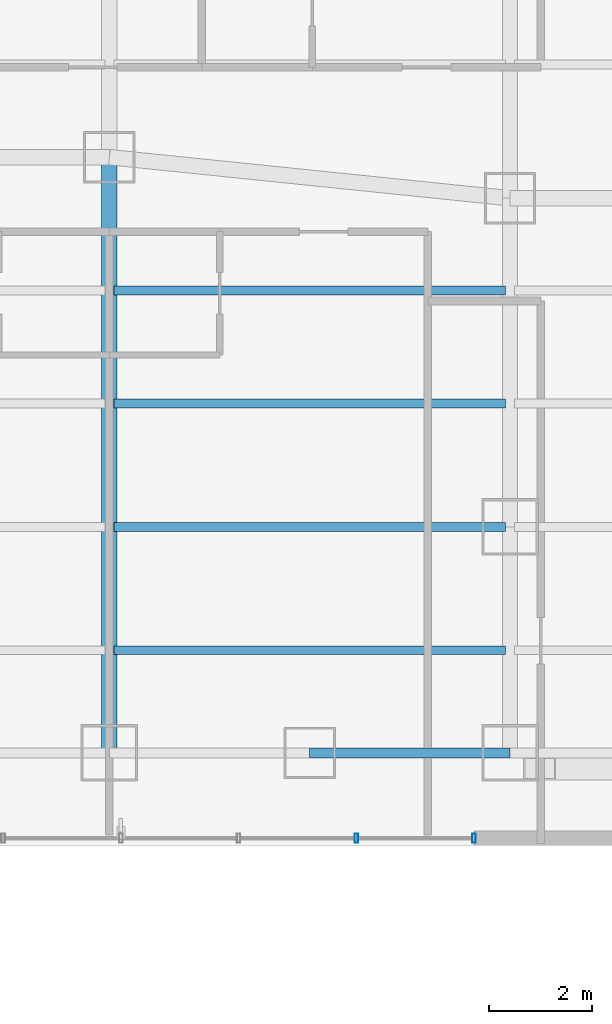
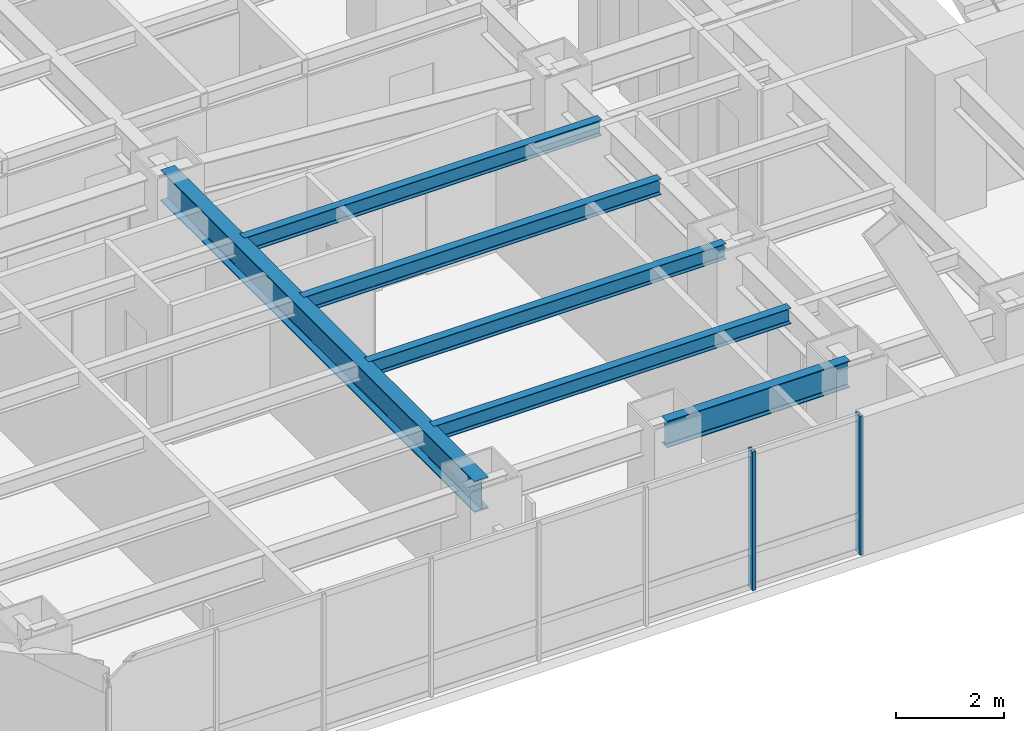
# One storey, part 6 of 32: 6 beams, 2 members, 1 element without a shape of its own.
"""IFC4 building model written with IfcOpenShell, lengths in metres."""

import ifcopenshell
import ifcopenshell.guid

model = None  # the IFC model being written
_history = None  # IfcOwnerHistory: only IFC2X3 demands one
_inside = {}  # id of a spatial element -> (the spatial element, [elements in it])
_under = {}  # id of a project, library or spatial element -> (it, [spatial elements below it])
_declared = {}  # id of a project -> (the project, [libraries it declares])
_typed = {}  # id of a type object -> (the type object, [elements of that type])
_made_of = {}  # id of a material, layer set ... -> (it, [elements and type objects made of it])


def new_model(schema):
    """Start an empty IFC model of exactly this schema.

    Asked for "IFC4X3", IfcOpenShell would pick the latest addendum, in which some entities
    have other attributes; the version numbers below select the first issue.
    IFC2X3 requires an IfcOwnerHistory on every rooted entity: one is made here for all.
    """
    global model, _history
    if schema == "IFC4X3":
        model = ifcopenshell.file(schema_version=(4, 3, 0, 0))
    else:
        model = ifcopenshell.file(schema=schema)
    _inside.clear()
    _under.clear()
    _declared.clear()
    _typed.clear()
    _made_of.clear()
    _history = None
    if model.schema == "IFC2X3":
        org = make("IfcOrganization", Name="unknown")
        user = make(
            "IfcPersonAndOrganization",
            ThePerson=make("IfcPerson", FamilyName="unknown"),
            TheOrganization=org,
        )
        app = make(
            "IfcApplication",
            ApplicationDeveloper=org,
            Version="unknown",
            ApplicationFullName="unknown",
            ApplicationIdentifier="unknown",
        )
        _history = make(
            "IfcOwnerHistory",
            OwningUser=user,
            OwningApplication=app,
            ChangeAction="ADDED",
            CreationDate=0,
        )
    return model


def make(cls, **values):
    """One entity of the class cls with the attributes given. An attribute that is None is left unset."""
    return model.create_entity(
        cls, **{name: value for name, value in values.items() if value is not None}
    )


def rooted(cls, **values):
    """An entity with a GlobalId (a new one), such as an element, a storey or a relation."""
    return make(cls, GlobalId=ifcopenshell.guid.new(), OwnerHistory=_history, **values)


def si_unit(unit_type, name, prefix=None):
    """IfcSIUnit, for example si_unit("LENGTHUNIT", "METRE", prefix="MILLI")."""
    return make("IfcSIUnit", UnitType=unit_type, Prefix=prefix, Name=name)


def assignment(units):
    """IfcUnitAssignment: the units of a project."""
    return None if units is None else make("IfcUnitAssignment", Units=units)


def point(xyz):
    """IfcCartesianPoint."""
    return None if xyz is None else make("IfcCartesianPoint", Coordinates=xyz)


def direction(xyz):
    """IfcDirection."""
    return None if xyz is None else make("IfcDirection", DirectionRatios=xyz)


def frame(location, z_axis=None, x_axis=None):
    """IfcAxis2Placement3D, a coordinate frame: its origin and axes. An axis left out is left unset."""
    return make(
        "IfcAxis2Placement3D",
        Location=point(location),
        Axis=direction(z_axis),
        RefDirection=direction(x_axis),
    )


def frame_2d(location, x_axis=None):
    """IfcAxis2Placement2D, a coordinate frame in the plane: its origin and x axis."""
    return make(
        "IfcAxis2Placement2D", Location=point(location), RefDirection=direction(x_axis)
    )


def origin():
    """The frame at (0, 0, 0) with its axes left unset."""
    return frame((0.0, 0.0, 0.0))


def origin_2d():
    """The frame at (0, 0) in the plane with its x axis left unset."""
    return frame_2d((0.0, 0.0))


def place(relative_to, where):
    """IfcLocalPlacement: puts the frame where relative to a parent placement (None: the world)."""
    return make(
        "IfcLocalPlacement", PlacementRelTo=relative_to, RelativePlacement=where
    )


def context(
    kind, dimensions, precision=None, world=None, true_north=None, identifier=None
):
    """IfcGeometricRepresentationContext, for example the 3D "Model" context."""
    return make(
        "IfcGeometricRepresentationContext",
        ContextIdentifier=identifier,
        ContextType=kind,
        CoordinateSpaceDimension=dimensions,
        Precision=precision,
        WorldCoordinateSystem=world,
        TrueNorth=true_north,
    )


def subcontext(parent, identifier, kind, view, scale=None):
    """IfcGeometricRepresentationSubContext, for example "Body" below "Model"."""
    return make(
        "IfcGeometricRepresentationSubContext",
        ContextIdentifier=identifier,
        ContextType=kind,
        ParentContext=parent,
        TargetScale=scale,
        TargetView=view,
    )


def project(units=None, contexts=None):
    """IfcProject with its units and contexts."""
    return rooted(
        "IfcProject",
        Name="project",
        RepresentationContexts=contexts,
        UnitsInContext=assignment(units),
    )


def spatial(cls, under=None, at=None, **own):
    """A site, building, storey or space (cls), placed at a placement, below another one or the project."""
    s = rooted(cls, ObjectPlacement=at, **own)
    if under is not None:
        _under.setdefault(under.id(), (under, []))[1].append(s)
    return s


def profile(cls, at=None, kind="AREA", **sizes):
    """A parametric profile (cls). Its sizes go by their IFC names, for example OverallWidth=200.0."""
    return make(cls, ProfileType=kind, Position=at, **sizes)


def hollow_rectangle(**sizes):
    """IfcRectangleHollowProfileDef."""
    return profile("IfcRectangleHollowProfileDef", **sizes)


def i_section(**sizes):
    """IfcIShapeProfileDef."""
    return profile("IfcIShapeProfileDef", **sizes)


def extrude(swept, where, along, depth):
    """IfcExtrudedAreaSolid: the profile swept, set in the frame where, extruded along a direction by depth."""
    return make(
        "IfcExtrudedAreaSolid",
        SweptArea=swept,
        Position=where,
        ExtrudedDirection=direction(along),
        Depth=depth,
    )


def shape(context_of_items, identifier, shape_type, items):
    """IfcShapeRepresentation: the items that make up one representation, for example the "Body"."""
    return make(
        "IfcShapeRepresentation",
        ContextOfItems=context_of_items,
        RepresentationIdentifier=identifier,
        RepresentationType=shape_type,
        Items=items,
    )


def material(Name=None, Category=None):
    """IfcMaterial."""
    return make("IfcMaterial", Name=Name, Category=Category)


def layer(
    of_material, thickness, ventilated=None, Name=None, Category=None, Priority=None
):
    """IfcMaterialLayer: one layer of a wall or slab, of a material (None: an air gap)."""
    return make(
        "IfcMaterialLayer",
        Material=of_material,
        LayerThickness=thickness,
        IsVentilated=ventilated,
        Name=Name,
        Category=Category,
        Priority=Priority,
    )


def layer_set(layers, Name=None):
    """IfcMaterialLayerSet."""
    return make("IfcMaterialLayerSet", MaterialLayers=layers, LayerSetName=Name)


def material_profile(
    of_material, cross_section, Name=None, Category=None, Priority=None
):
    """IfcMaterialProfile: a cross section and its material."""
    return make(
        "IfcMaterialProfile",
        Name=Name,
        Material=of_material,
        Profile=cross_section,
        Priority=Priority,
        Category=Category,
    )


def profile_set(profiles, Name=None, composite=None):
    """IfcMaterialProfileSet."""
    return make(
        "IfcMaterialProfileSet",
        Name=Name,
        MaterialProfiles=profiles,
        CompositeProfile=composite,
    )


def made_of(thing, what):
    """Note that an element or type object is made of a material, layer set ...; save() writes the relation."""
    if what is not None:
        _made_of.setdefault(what.id(), (what, []))[1].append(thing)
    return thing


def type_object(cls, material=None, **own):
    """A type object (cls), such as IfcWallType, which elements share."""
    return made_of(rooted(cls, **own), material)


def element(
    cls,
    number,
    at=None,
    inside=None,
    cuts=None,
    type_object=None,
    material=None,
    context=None,
    identifier="Body",
    shape_type=None,
    held_by="IfcProductDefinitionShape",
    body=None,
    shapes=None,
    **own,
):
    """One element of the class cls, such as IfcWall. Its Tag is "e" and its number.

    at: its placement. inside: the storey or other place that contains it. cuts: it is an
    opening in that element (IfcRelVoidsElement). A single representation is given by context,
    identifier, shape_type and body (its items); several are given by shapes. held_by: the class
    of the entity that holds the representations. save() writes the other relations.
    """
    e = rooted(cls, Tag="e%d" % number, ObjectPlacement=at, **own)
    if body is not None:
        shapes = [shape(context, identifier, shape_type, body)]
    if shapes is not None:
        e.Representation = make(held_by, Representations=shapes)
    if inside is not None:
        _inside.setdefault(inside.id(), (inside, []))[1].append(e)
    if cuts is not None:
        rooted(
            "IfcRelVoidsElement", RelatingBuildingElement=cuts, RelatedOpeningElement=e
        )
    if type_object is not None:
        _typed.setdefault(type_object.id(), (type_object, []))[1].append(e)
    return made_of(e, material)


def aggregate(whole, parts):
    """IfcRelAggregates: a whole, such as a stair, and the parts it consists of."""
    return rooted("IfcRelAggregates", RelatingObject=whole, RelatedObjects=parts)


def save(model, path):
    """Write the relations noted so far, then the file.

    IfcRelAggregates (storeys below a building ...), IfcRelContainedInSpatialStructure (elements
    in a storey), IfcRelDefinesByType, IfcRelAssociatesMaterial and IfcRelDeclares: one each for
    every whole, place, type object, material and project.
    """
    for whole, parts in _under.values():
        aggregate(whole, parts)
    for where, things in _inside.values():
        rooted(
            "IfcRelContainedInSpatialStructure",
            RelatedElements=things,
            RelatingStructure=where,
        )
    for kind, things in _typed.values():
        rooted("IfcRelDefinesByType", RelatedObjects=things, RelatingType=kind)
    for what, things in _made_of.values():
        rooted("IfcRelAssociatesMaterial", RelatedObjects=things, RelatingMaterial=what)
    for by, libraries in _declared.values():
        rooted("IfcRelDeclares", RelatingContext=by, RelatedDefinitions=libraries)
    model.write(path)


model = new_model("IFC4")

# Units and contexts
model_context = context("Model", 3, precision=1e-05, world=origin(), true_north=direction((0.0, 1.0)))
body_context = subcontext(model_context, "Body", "Model", "MODEL_VIEW")
ifc_project = project(units=[si_unit("LENGTHUNIT", "METRE"), si_unit("AREAUNIT", "SQUARE_METRE"), si_unit("VOLUMEUNIT", "CUBIC_METRE"), si_unit("PLANEANGLEUNIT", "RADIAN"), si_unit("MASSUNIT", "GRAM", prefix="KILO")], contexts=[model_context])

# Site, building, storey
site_placement = place(None, origin())
site = spatial("IfcSite", under=ifc_project, at=site_placement, CompositionType="ELEMENT")
building_placement = place(site_placement, origin())
building = spatial("IfcBuilding", under=site, at=building_placement, Name="Hatsunagi Terrace Concourse", CompositionType="ELEMENT")
storey_placement = place(building_placement, frame((0.0, 0.0, 36.60009765625)))
storey = spatial("IfcBuildingStorey", under=building, at=storey_placement, Name="L08", CompositionType="ELEMENT", Elevation=36.60009765625)

# Curtain wall, members
ifc_material_1 = material(Name="Anodised Aluminium Alloy 6063-T5", Category="aluminium")
ifc_layer = layer(ifc_material_1, 0.199951171875)
ifc_layer_set = layer_set([ifc_layer], Name="HotelFacade_CW02")
curtain_wall_type = type_object("IfcCurtainWallType", Name="HotelFacade_CW02", PredefinedType="NOTDEFINED", material=ifc_layer_set)
curtain_wall_placement = place(storey_placement, origin())
curtain_wall = element("IfcCurtainWall", 1, at=curtain_wall_placement, inside=storey, type_object=curtain_wall_type, Name="Unitised Curtain Wall CW-02 CW-L08-07", PredefinedType="NOTDEFINED")
ifc_material_2 = material(Name="Anodised Aluminium Alloy 6063-T5", Category="aluminium")
ifc_material_profile_1 = material_profile(ifc_material_2, hollow_rectangle(XDim=0.070068359375, YDim=0.179931640625, WallThickness=0.00390625, at=origin_2d()), Name="ALU-MUL-180x70x4")
ifc_profile_set_1 = profile_set([ifc_material_profile_1], Name="Anodised Aluminium Alloy 6063-T5")
member_type = type_object("IfcMemberType", Name="CurtainWallMullion_180x70", PredefinedType="MULLION", material=ifc_profile_set_1)
member_1_placement = place(storey_placement, frame((18.5, 23.5400390625, 0.0), z_axis=(0.0, 0.0, 1.0), x_axis=(-1.0, 0.0, 0.0)))
member_1 = element("IfcMember", 2, at=member_1_placement, type_object=member_type, Name="Curtain Wall Mullion MUL-02", PredefinedType="MULLION", context=body_context, shape_type="SweptSolid", body=[
    extrude(hollow_rectangle(XDim=0.070068359375, YDim=0.179931640625, WallThickness=0.00390625, at=origin_2d()), origin(), (0.0, 0.0, 1.0), 3.1298828125),
])
member_2_placement = place(storey_placement, frame((16.2080078125, 23.5400390625, 0.0), z_axis=(0.0, 0.0, 1.0), x_axis=(-1.0, 0.0, 0.0)))
member_2 = element("IfcMember", 3, at=member_2_placement, type_object=member_type, Name="Curtain Wall Mullion MUL-02", PredefinedType="MULLION", context=body_context, shape_type="SweptSolid", body=[
    extrude(hollow_rectangle(XDim=0.070068359375, YDim=0.179931640625, WallThickness=0.00390625, at=origin_2d()), origin(), (0.0, 0.0, 1.0), 3.1298828125),
])
aggregate(curtain_wall, [member_1, member_2])

# Beams
ifc_material_3 = material(Name="Steel SN490B", Category="steel")
ifc_material_profile_2 = material_profile(ifc_material_3, i_section(OverallWidth=0.300048828125, OverallDepth=0.699951171875, WebThickness=0.012939453125, FlangeThickness=0.02392578125, FilletRadius=0.02197265625, at=origin_2d()), Name="H-700x300x13x24")
ifc_profile_set_2 = profile_set([ifc_material_profile_2], Name="Steel SN490B")
beam_type_1 = type_object("IfcBeamType", Name="HotelFloorGirder_H_700x300", PredefinedType="BEAM", material=ifc_profile_set_2)
beam_1_placement = place(storey_placement, frame((11.39990234375, 25.199951171875, 2.77978515625), z_axis=(0.0, 1.0, 0.0), x_axis=(-1.0, 0.0, 0.0)))
element("IfcBeam", 4, at=beam_1_placement, inside=storey, type_object=beam_type_1, Name="Beam G-04 BM-L08-NS-11-25", PredefinedType="BEAM", context=body_context, shape_type="SweptSolid", body=[
    extrude(i_section(OverallWidth=0.300048828125, OverallDepth=0.699951171875, WebThickness=0.012939453125, FlangeThickness=0.02392578125, FilletRadius=0.02197265625, at=origin_2d()), origin(), (0.0, 0.0, 1.0), 11.60009765625),
])
ifc_material_4 = material(Name="Steel SN490B", Category="steel")
ifc_material_profile_3 = material_profile(ifc_material_4, i_section(OverallWidth=0.175048828125, OverallDepth=0.35009765625, WebThickness=0.007080078125, FlangeThickness=0.010986328125, FilletRadius=0.012939453125, at=origin_2d()), Name="H-350x175x7x11")
ifc_profile_set_3 = profile_set([ifc_material_profile_3], Name="Steel SN490B")
beam_type_2 = type_object("IfcBeamType", Name="HotelJoist_H_350x175", PredefinedType="JOIST", material=ifc_profile_set_3)
for number, where, z_axis, x_axis, name in (
    (5, (11.485107421875, 27.199951171875, 2.954833984375), (1.0, 0.0, 0.0), (0.0, 1.0, 0.0), "Beam J-02 J-L08-W-11-272"),
    (6, (11.485107421875, 29.60009765625, 2.954833984375), (1.0, 0.0, 0.0), (0.0, 1.0, 0.0), "Beam J-02 J-L08-W-11-296"),
    (7, (11.485107421875, 32.0, 2.954833984375), (1.0, 0.0, 0.0), (0.0, 1.0, 0.0), "Beam J-02 J-L08-W-11-320"),
    (8, (11.485107421875, 34.199951171875, 2.954833984375), (1.0, 0.0, 0.0), (0.0, 1.0, 0.0), "Beam J-02 J-L08-W-11-342"),
):
    element("IfcBeam", number, at=place(storey_placement, frame(where, z_axis=z_axis, x_axis=x_axis)), inside=storey, type_object=beam_type_2, Name=name, PredefinedType="JOIST", context=body_context, shape_type="SweptSolid", body=[
        extrude(i_section(OverallWidth=0.175048828125, OverallDepth=0.35009765625, WebThickness=0.007080078125, FlangeThickness=0.010986328125, FilletRadius=0.012939453125, at=origin_2d()), origin(), (0.0, 0.0, 1.0), 7.6298828125),
    ])
ifc_material_5 = material(Name="Steel SN490B", Category="steel")
ifc_material_profile_4 = material_profile(ifc_material_5, i_section(OverallWidth=0.199951171875, OverallDepth=0.60009765625, WebThickness=0.010986328125, FlangeThickness=0.01708984375, FilletRadius=0.01806640625, at=origin_2d()), Name="H-600x200x11x17")
ifc_profile_set_4 = profile_set([ifc_material_profile_4], Name="Steel SN490B")
beam_type_3 = type_object("IfcBeamType", Name="PerimeterSpandrel_H_600x200", PredefinedType="SPANDREL", material=ifc_profile_set_4)
beam_2_placement = place(storey_placement, frame((15.300048828125, 25.199951171875, 2.829833984375), z_axis=(1.0, 0.0, 0.0), x_axis=(0.0, 1.0, 0.0)))
element("IfcBeam", 9, at=beam_2_placement, inside=storey, type_object=beam_type_3, Name="Beam SP-01 BM-L08-WS-15", PredefinedType="SPANDREL", context=body_context, shape_type="SweptSolid", body=[
    extrude(i_section(OverallWidth=0.199951171875, OverallDepth=0.60009765625, WebThickness=0.010986328125, FlangeThickness=0.01708984375, FilletRadius=0.01806640625, at=origin_2d()), origin(), (0.0, 0.0, 1.0), 3.89990234375),
])

save(model, "model.ifc")
